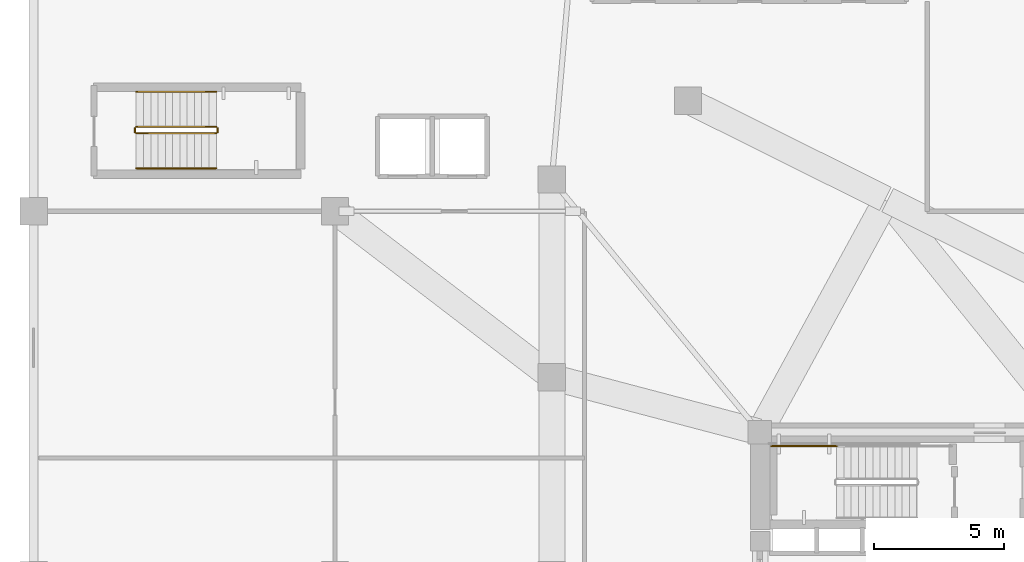
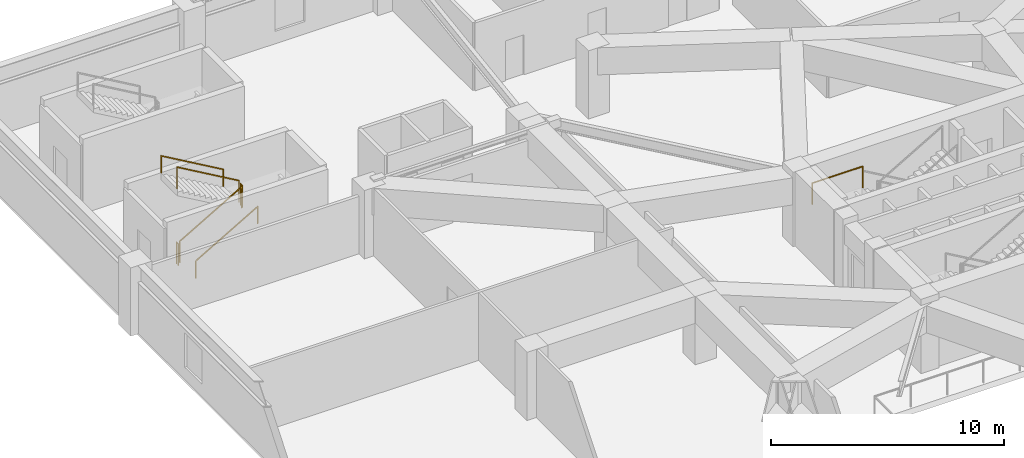
# One storey, part 12 of 16: 7 railings.
"""IFC4 building model written with IfcOpenShell, lengths in metres."""

from ifc_helpers import new_model, si_unit, direction, frame, origin, origin_2d, place, context, subcontext, project, spatial, rectangle, extrude, material, type_object, element, save


model = new_model("IFC4")

# Units and contexts
model_context = context("Model", 3, precision=1e-05, world=origin(), true_north=direction((0.0, 1.0)))
body_context = subcontext(model_context, "Body", "Model", "MODEL_VIEW")
ifc_project = project(units=[si_unit("LENGTHUNIT", "METRE"), si_unit("AREAUNIT", "SQUARE_METRE"), si_unit("VOLUMEUNIT", "CUBIC_METRE"), si_unit("PLANEANGLEUNIT", "RADIAN"), si_unit("MASSUNIT", "GRAM", prefix="KILO")], contexts=[model_context])

# Site, building, storey
site_placement = place(None, origin())
site = spatial("IfcSite", under=ifc_project, at=site_placement, CompositionType="ELEMENT")
building_placement = place(site_placement, origin())
building = spatial("IfcBuilding", under=site, at=building_placement, Name="Yunling Apex Tower", CompositionType="ELEMENT")
storey_placement = place(building_placement, frame((0.0, 0.0, 16.199951171875)))
storey = spatial("IfcBuildingStorey", under=building, at=storey_placement, Name="L05", CompositionType="ELEMENT", Elevation=16.199951171875)

# Railings
ifc_material_1 = material(Name="Steel Q355B", Category="steel")
railing_type_1 = type_object("IfcRailingType", Name="RL-GRD-1150", PredefinedType="GUARDRAIL", material=ifc_material_1)
railing_1_placement = place(storey_placement, frame((-3.090087890625, 4.9599609375, 1.949951171875)))
element("IfcRailing", 1, at=railing_1_placement, inside=storey, type_object=railing_type_1, Name="L05 ST-1 stair guard 3", PredefinedType="GUARDRAIL", context=body_context, shape_type="SweptSolid", body=[
    extrude(rectangle(XDim=0.0439453125, YDim=0.0439453125, at=origin_2d()), origin(), (0.0, 0.0, 1.0), 1.14990234375),
    extrude(rectangle(XDim=0.0439453125, YDim=0.0439453125, at=origin_2d()), frame((-2.510009765625, 0.0, 0.0)), (0.0, 0.0, 1.0), 1.14990234375),
    extrude(rectangle(XDim=0.050048828125, YDim=0.050048828125, at=origin_2d()), frame((-0.038330078125, 0.0, 1.125), z_axis=(-1.0, 0.0, 0.0), x_axis=(0.0, -1.0, 0.0)), (0.0, 0.0, 1.0), 2.433349609375),
])
railing_2_placement = place(storey_placement, frame((-30.050048828125, 17.0, 0.16259765625)))
element("IfcRailing", 2, at=railing_2_placement, inside=storey, type_object=railing_type_1, Name="L05 ST-P1 stair guard 1", PredefinedType="GUARDRAIL", context=body_context, shape_type="SweptSolid", body=[
    extrude(rectangle(XDim=0.0439453125, YDim=0.0439453125, at=origin_2d()), origin(), (0.0, 0.0, 1.0), 1.14990234375),
    extrude(rectangle(XDim=0.0439453125, YDim=0.0439453125, at=origin_2d()), frame((3.080078125, 0.0, 1.787353515625)), (0.0, 0.0, 1.0), 1.14990234375),
    extrude(rectangle(XDim=0.050048828125, YDim=0.050048828125, at=origin_2d()), frame((0.033203125, 0.0, 1.14404296875), z_axis=(0.864920483161, 0.0, 0.501908913857), x_axis=(0.0, 1.0, 0.0)), (0.0, 0.0, 1.0), 3.484375),
])
railing_3_placement = place(storey_placement, frame((-26.919921875, 17.050048828125, 1.949951171875)))
element("IfcRailing", 3, at=railing_3_placement, inside=storey, type_object=railing_type_1, Name="L05 ST-P1 stair guard 2", PredefinedType="GUARDRAIL", context=body_context, shape_type="SweptSolid", body=[
    extrude(rectangle(XDim=0.0439453125, YDim=0.0439453125, at=origin_2d()), origin(), (0.0, 0.0, 1.0), 1.14990234375),
    extrude(rectangle(XDim=0.0439453125, YDim=0.0439453125, at=origin_2d()), frame((0.0, 0.14990234375, 0.0)), (0.0, 0.0, 1.0), 1.14990234375),
    extrude(rectangle(XDim=0.050048828125, YDim=0.050048828125, at=origin_2d()), frame((0.0, 0.038330078125, 1.125), z_axis=(0.0, 1.0, 0.0), x_axis=(-1.0, 0.0, 0.0)), (0.0, 0.0, 1.0), 0.0732421875),
])
railing_4_placement = place(storey_placement, frame((-26.969970703125, 17.25, 2.112548828125)))
element("IfcRailing", 4, at=railing_4_placement, inside=storey, type_object=railing_type_1, Name="L05 ST-P1 stair guard 3", PredefinedType="GUARDRAIL", context=body_context, shape_type="SweptSolid", body=[
    extrude(rectangle(XDim=0.0439453125, YDim=0.0439453125, at=origin_2d()), origin(), (0.0, 0.0, 1.0), 1.14990234375),
    extrude(rectangle(XDim=0.0439453125, YDim=0.0439453125, at=origin_2d()), frame((-3.080078125, 0.0, 1.78759765625)), (0.0, 0.0, 1.0), 1.14990234375),
    extrude(rectangle(XDim=0.050048828125, YDim=0.050048828125, at=origin_2d()), frame((-0.033203125, 0.0, 1.14404296875), z_axis=(-0.864890721111, 0.0, 0.501960198159), x_axis=(0.0, -1.0, 0.0)), (0.0, 0.0, 1.0), 3.484619140625),
])
railing_5_placement = place(storey_placement, frame((-30.10009765625, 17.050048828125, 0.0)))
element("IfcRailing", 5, at=railing_5_placement, inside=storey, type_object=railing_type_1, Name="L05 ST-P1 stair guard 4", PredefinedType="GUARDRAIL", context=body_context, shape_type="SweptSolid", body=[
    extrude(rectangle(XDim=0.0439453125, YDim=0.0439453125, at=origin_2d()), origin(), (0.0, 0.0, 1.0), 1.14990234375),
    extrude(rectangle(XDim=0.0439453125, YDim=0.0439453125, at=origin_2d()), frame((0.0, 0.14990234375, 0.0)), (0.0, 0.0, 1.0), 1.14990234375),
    extrude(rectangle(XDim=0.050048828125, YDim=0.050048828125, at=origin_2d()), frame((0.0, 0.038330078125, 1.125), z_axis=(0.0, 1.0, 0.0), x_axis=(-1.0, 0.0, 0.0)), (0.0, 0.0, 1.0), 0.0732421875),
])
ifc_material_2 = material(Name="Silver anodised aluminium", Category="aluminium")
railing_type_2 = type_object("IfcRailingType", Name="RL-HND-900", PredefinedType="HANDRAIL", material=ifc_material_2)
railing_6_placement = place(storey_placement, frame((-30.050048828125, 15.64990234375, 0.16259765625)))
element("IfcRailing", 6, at=railing_6_placement, inside=storey, type_object=railing_type_2, Name="L05 ST-P1 stair handrail 1", PredefinedType="HANDRAIL", context=body_context, shape_type="SweptSolid", body=[
    extrude(rectangle(XDim=0.0439453125, YDim=0.0439453125, at=origin_2d()), origin(), (0.0, 0.0, 1.0), 0.919921875),
    extrude(rectangle(XDim=0.0439453125, YDim=0.0439453125, at=origin_2d()), frame((3.080078125, 0.0, 1.787353515625)), (0.0, 0.0, 1.0), 0.919921875),
    extrude(rectangle(XDim=0.050048828125, YDim=0.050048828125, at=origin_2d()), frame((0.033203125, 0.0, 0.9140625), z_axis=(0.864920483161, 0.0, 0.501908913857), x_axis=(0.0, 1.0, 0.0)), (0.0, 0.0, 1.0), 3.484375),
])
railing_7_placement = place(storey_placement, frame((-26.969970703125, 18.60009765625, 2.112548828125)))
element("IfcRailing", 7, at=railing_7_placement, inside=storey, type_object=railing_type_2, Name="L05 ST-P1 stair handrail 2", PredefinedType="HANDRAIL", context=body_context, shape_type="SweptSolid", body=[
    extrude(rectangle(XDim=0.0439453125, YDim=0.0439453125, at=origin_2d()), origin(), (0.0, 0.0, 1.0), 0.919921875),
    extrude(rectangle(XDim=0.0439453125, YDim=0.0439453125, at=origin_2d()), frame((-3.080078125, 0.0, 1.78759765625)), (0.0, 0.0, 1.0), 0.919921875),
    extrude(rectangle(XDim=0.050048828125, YDim=0.050048828125, at=origin_2d()), frame((-0.033203125, 0.0, 0.9140625), z_axis=(-0.864890721111, 0.0, 0.501960198159), x_axis=(0.0, -1.0, 0.0)), (0.0, 0.0, 1.0), 3.484619140625),
])

save(model, "model.ifc")
